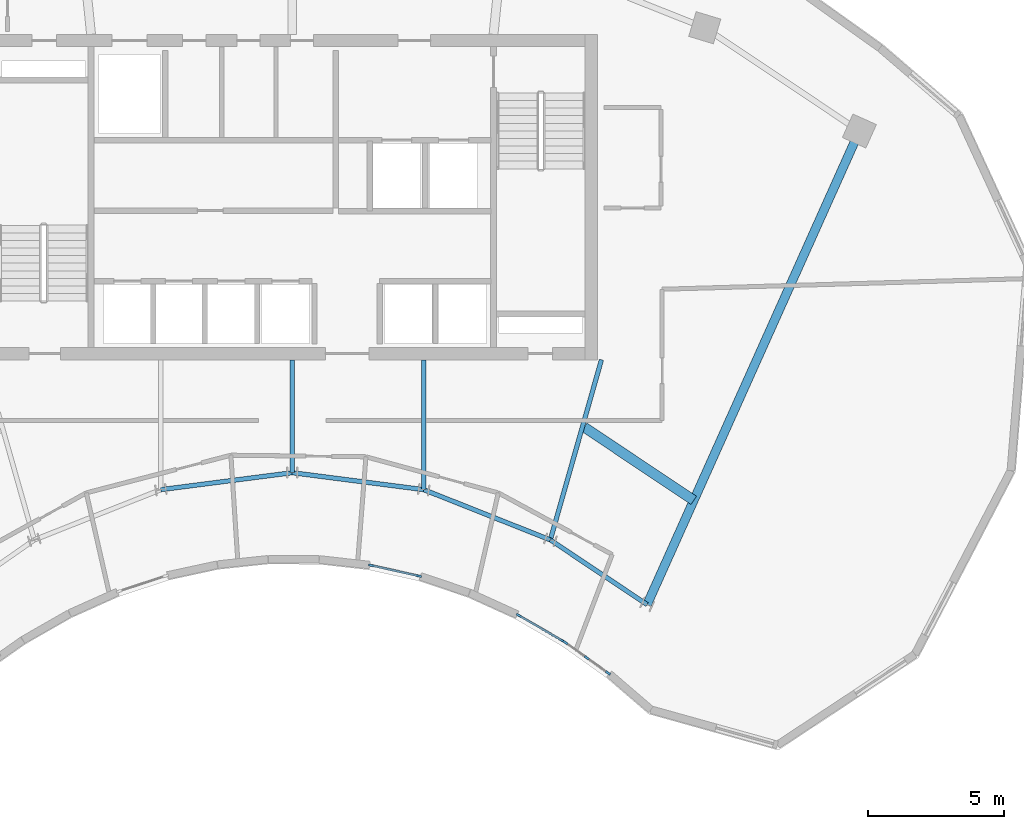
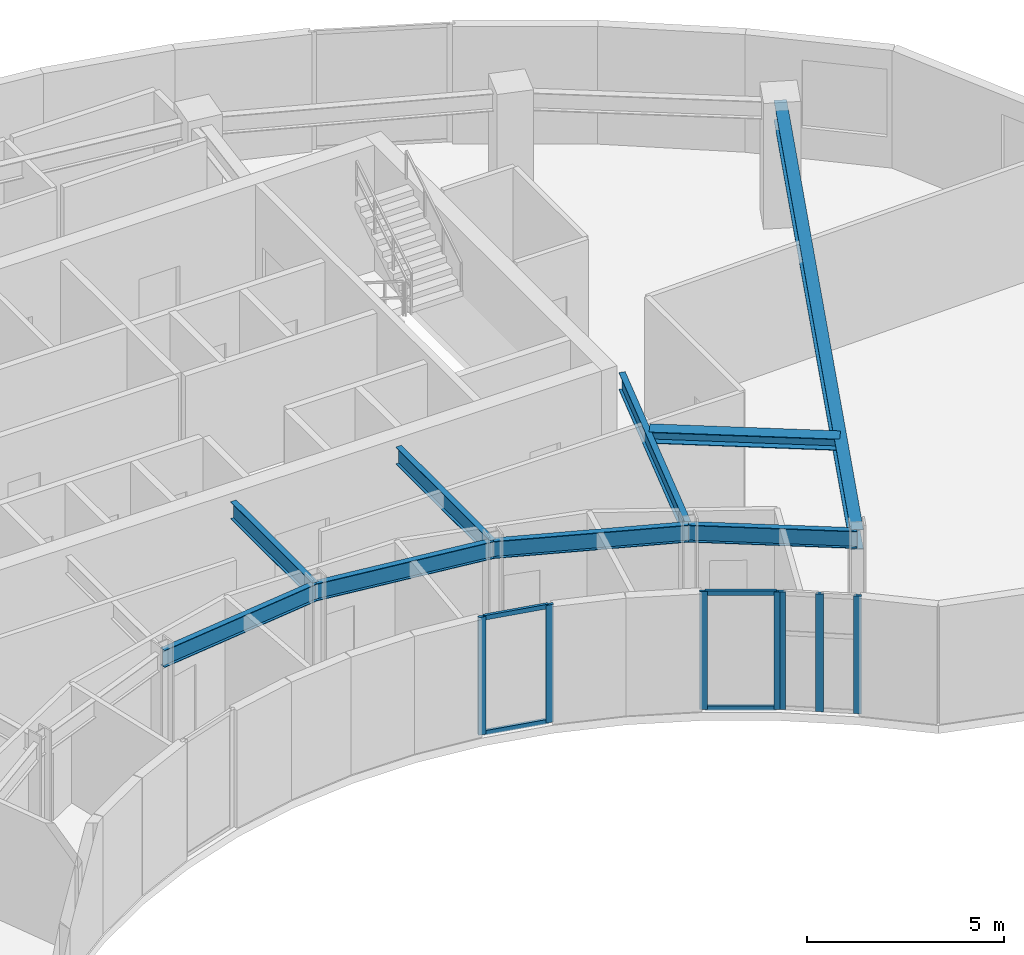
# One storey, part 3 of 12: 11 members, 9 beams, 3 elements without a shape of their own.
"""IFC4 building model written with IfcOpenShell, lengths in metres."""

import ifcopenshell
import ifcopenshell.guid

model = None  # the IFC model being written
_history = None  # IfcOwnerHistory: only IFC2X3 demands one
_inside = {}  # id of a spatial element -> (the spatial element, [elements in it])
_under = {}  # id of a project, library or spatial element -> (it, [spatial elements below it])
_declared = {}  # id of a project -> (the project, [libraries it declares])
_typed = {}  # id of a type object -> (the type object, [elements of that type])
_made_of = {}  # id of a material, layer set ... -> (it, [elements and type objects made of it])


def new_model(schema):
    """Start an empty IFC model of exactly this schema.

    Asked for "IFC4X3", IfcOpenShell would pick the latest addendum, in which some entities
    have other attributes; the version numbers below select the first issue.
    IFC2X3 requires an IfcOwnerHistory on every rooted entity: one is made here for all.
    """
    global model, _history
    if schema == "IFC4X3":
        model = ifcopenshell.file(schema_version=(4, 3, 0, 0))
    else:
        model = ifcopenshell.file(schema=schema)
    _inside.clear()
    _under.clear()
    _declared.clear()
    _typed.clear()
    _made_of.clear()
    _history = None
    if model.schema == "IFC2X3":
        org = make("IfcOrganization", Name="unknown")
        user = make(
            "IfcPersonAndOrganization",
            ThePerson=make("IfcPerson", FamilyName="unknown"),
            TheOrganization=org,
        )
        app = make(
            "IfcApplication",
            ApplicationDeveloper=org,
            Version="unknown",
            ApplicationFullName="unknown",
            ApplicationIdentifier="unknown",
        )
        _history = make(
            "IfcOwnerHistory",
            OwningUser=user,
            OwningApplication=app,
            ChangeAction="ADDED",
            CreationDate=0,
        )
    return model


def make(cls, **values):
    """One entity of the class cls with the attributes given. An attribute that is None is left unset."""
    return model.create_entity(
        cls, **{name: value for name, value in values.items() if value is not None}
    )


def rooted(cls, **values):
    """An entity with a GlobalId (a new one), such as an element, a storey or a relation."""
    return make(cls, GlobalId=ifcopenshell.guid.new(), OwnerHistory=_history, **values)


def si_unit(unit_type, name, prefix=None):
    """IfcSIUnit, for example si_unit("LENGTHUNIT", "METRE", prefix="MILLI")."""
    return make("IfcSIUnit", UnitType=unit_type, Prefix=prefix, Name=name)


def assignment(units):
    """IfcUnitAssignment: the units of a project."""
    return None if units is None else make("IfcUnitAssignment", Units=units)


def point(xyz):
    """IfcCartesianPoint."""
    return None if xyz is None else make("IfcCartesianPoint", Coordinates=xyz)


def direction(xyz):
    """IfcDirection."""
    return None if xyz is None else make("IfcDirection", DirectionRatios=xyz)


def frame(location, z_axis=None, x_axis=None):
    """IfcAxis2Placement3D, a coordinate frame: its origin and axes. An axis left out is left unset."""
    return make(
        "IfcAxis2Placement3D",
        Location=point(location),
        Axis=direction(z_axis),
        RefDirection=direction(x_axis),
    )


def frame_2d(location, x_axis=None):
    """IfcAxis2Placement2D, a coordinate frame in the plane: its origin and x axis."""
    return make(
        "IfcAxis2Placement2D", Location=point(location), RefDirection=direction(x_axis)
    )


def origin():
    """The frame at (0, 0, 0) with its axes left unset."""
    return frame((0.0, 0.0, 0.0))


def origin_2d():
    """The frame at (0, 0) in the plane with its x axis left unset."""
    return frame_2d((0.0, 0.0))


def place(relative_to, where):
    """IfcLocalPlacement: puts the frame where relative to a parent placement (None: the world)."""
    return make(
        "IfcLocalPlacement", PlacementRelTo=relative_to, RelativePlacement=where
    )


def context(
    kind, dimensions, precision=None, world=None, true_north=None, identifier=None
):
    """IfcGeometricRepresentationContext, for example the 3D "Model" context."""
    return make(
        "IfcGeometricRepresentationContext",
        ContextIdentifier=identifier,
        ContextType=kind,
        CoordinateSpaceDimension=dimensions,
        Precision=precision,
        WorldCoordinateSystem=world,
        TrueNorth=true_north,
    )


def subcontext(parent, identifier, kind, view, scale=None):
    """IfcGeometricRepresentationSubContext, for example "Body" below "Model"."""
    return make(
        "IfcGeometricRepresentationSubContext",
        ContextIdentifier=identifier,
        ContextType=kind,
        ParentContext=parent,
        TargetScale=scale,
        TargetView=view,
    )


def project(units=None, contexts=None):
    """IfcProject with its units and contexts."""
    return rooted(
        "IfcProject",
        Name="project",
        RepresentationContexts=contexts,
        UnitsInContext=assignment(units),
    )


def spatial(cls, under=None, at=None, **own):
    """A site, building, storey or space (cls), placed at a placement, below another one or the project."""
    s = rooted(cls, ObjectPlacement=at, **own)
    if under is not None:
        _under.setdefault(under.id(), (under, []))[1].append(s)
    return s


def profile(cls, at=None, kind="AREA", **sizes):
    """A parametric profile (cls). Its sizes go by their IFC names, for example OverallWidth=200.0."""
    return make(cls, ProfileType=kind, Position=at, **sizes)


def rectangle(**sizes):
    """IfcRectangleProfileDef."""
    return profile("IfcRectangleProfileDef", **sizes)


def i_section(**sizes):
    """IfcIShapeProfileDef."""
    return profile("IfcIShapeProfileDef", **sizes)


def extrude(swept, where, along, depth):
    """IfcExtrudedAreaSolid: the profile swept, set in the frame where, extruded along a direction by depth."""
    return make(
        "IfcExtrudedAreaSolid",
        SweptArea=swept,
        Position=where,
        ExtrudedDirection=direction(along),
        Depth=depth,
    )


def shape(context_of_items, identifier, shape_type, items):
    """IfcShapeRepresentation: the items that make up one representation, for example the "Body"."""
    return make(
        "IfcShapeRepresentation",
        ContextOfItems=context_of_items,
        RepresentationIdentifier=identifier,
        RepresentationType=shape_type,
        Items=items,
    )


def source(mapping_origin, context_of_items, identifier, shape_type, items):
    """IfcRepresentationMap: a shape defined once, which mapped items show again and again."""
    return make(
        "IfcRepresentationMap",
        MappingOrigin=mapping_origin,
        MappedRepresentation=shape(context_of_items, identifier, shape_type, items),
    )


def transform(
    local_origin,
    x_axis=None,
    y_axis=None,
    z_axis=None,
    scale=None,
    scale2=None,
    scale3=None,
    uniform=True,
):
    """IfcCartesianTransformationOperator3D, or its non-uniform kind. x_axis, y_axis, z_axis: its Axis1, 2, 3."""
    if uniform:
        return make(
            "IfcCartesianTransformationOperator3D",
            Axis1=direction(x_axis),
            Axis2=direction(y_axis),
            LocalOrigin=point(local_origin),
            Scale=scale,
            Axis3=direction(z_axis),
        )
    return make(
        "IfcCartesianTransformationOperator3DnonUniform",
        Axis1=direction(x_axis),
        Axis2=direction(y_axis),
        LocalOrigin=point(local_origin),
        Scale=scale,
        Axis3=direction(z_axis),
        Scale2=scale2,
        Scale3=scale3,
    )


def mapped(mapping_source, mapping_target):
    """IfcMappedItem: shows the shape of a source again, moved by a transform."""
    return make(
        "IfcMappedItem", MappingSource=mapping_source, MappingTarget=mapping_target
    )


def material(Name=None, Category=None):
    """IfcMaterial."""
    return make("IfcMaterial", Name=Name, Category=Category)


def layer(
    of_material, thickness, ventilated=None, Name=None, Category=None, Priority=None
):
    """IfcMaterialLayer: one layer of a wall or slab, of a material (None: an air gap)."""
    return make(
        "IfcMaterialLayer",
        Material=of_material,
        LayerThickness=thickness,
        IsVentilated=ventilated,
        Name=Name,
        Category=Category,
        Priority=Priority,
    )


def layer_set(layers, Name=None):
    """IfcMaterialLayerSet."""
    return make("IfcMaterialLayerSet", MaterialLayers=layers, LayerSetName=Name)


def material_profile(
    of_material, cross_section, Name=None, Category=None, Priority=None
):
    """IfcMaterialProfile: a cross section and its material."""
    return make(
        "IfcMaterialProfile",
        Name=Name,
        Material=of_material,
        Profile=cross_section,
        Priority=Priority,
        Category=Category,
    )


def profile_set(profiles, Name=None, composite=None):
    """IfcMaterialProfileSet."""
    return make(
        "IfcMaterialProfileSet",
        Name=Name,
        MaterialProfiles=profiles,
        CompositeProfile=composite,
    )


def made_of(thing, what):
    """Note that an element or type object is made of a material, layer set ...; save() writes the relation."""
    if what is not None:
        _made_of.setdefault(what.id(), (what, []))[1].append(thing)
    return thing


def type_object(cls, material=None, **own):
    """A type object (cls), such as IfcWallType, which elements share."""
    return made_of(rooted(cls, **own), material)


def type_shapes(of_type, sources):
    """Give a type object the sources (RepresentationMaps) that its elements show as mapped items."""
    of_type.RepresentationMaps = sources


def element(
    cls,
    number,
    at=None,
    inside=None,
    cuts=None,
    type_object=None,
    material=None,
    context=None,
    identifier="Body",
    shape_type=None,
    held_by="IfcProductDefinitionShape",
    body=None,
    shapes=None,
    **own,
):
    """One element of the class cls, such as IfcWall. Its Tag is "e" and its number.

    at: its placement. inside: the storey or other place that contains it. cuts: it is an
    opening in that element (IfcRelVoidsElement). A single representation is given by context,
    identifier, shape_type and body (its items); several are given by shapes. held_by: the class
    of the entity that holds the representations. save() writes the other relations.
    """
    e = rooted(cls, Tag="e%d" % number, ObjectPlacement=at, **own)
    if body is not None:
        shapes = [shape(context, identifier, shape_type, body)]
    if shapes is not None:
        e.Representation = make(held_by, Representations=shapes)
    if inside is not None:
        _inside.setdefault(inside.id(), (inside, []))[1].append(e)
    if cuts is not None:
        rooted(
            "IfcRelVoidsElement", RelatingBuildingElement=cuts, RelatedOpeningElement=e
        )
    if type_object is not None:
        _typed.setdefault(type_object.id(), (type_object, []))[1].append(e)
    return made_of(e, material)


def aggregate(whole, parts):
    """IfcRelAggregates: a whole, such as a stair, and the parts it consists of."""
    return rooted("IfcRelAggregates", RelatingObject=whole, RelatedObjects=parts)


def save(model, path):
    """Write the relations noted so far, then the file.

    IfcRelAggregates (storeys below a building ...), IfcRelContainedInSpatialStructure (elements
    in a storey), IfcRelDefinesByType, IfcRelAssociatesMaterial and IfcRelDeclares: one each for
    every whole, place, type object, material and project.
    """
    for whole, parts in _under.values():
        aggregate(whole, parts)
    for where, things in _inside.values():
        rooted(
            "IfcRelContainedInSpatialStructure",
            RelatedElements=things,
            RelatingStructure=where,
        )
    for kind, things in _typed.values():
        rooted("IfcRelDefinesByType", RelatedObjects=things, RelatingType=kind)
    for what, things in _made_of.values():
        rooted("IfcRelAssociatesMaterial", RelatedObjects=things, RelatingMaterial=what)
    for by, libraries in _declared.values():
        rooted("IfcRelDeclares", RelatingContext=by, RelatedDefinitions=libraries)
    model.write(path)


model = new_model("IFC4")

# Units and contexts
model_context = context("Model", 3, precision=1e-05, world=origin(), true_north=direction((0.0, 1.0)))
body_context = subcontext(model_context, "Body", "Model", "MODEL_VIEW")
ifc_project = project(units=[si_unit("LENGTHUNIT", "METRE"), si_unit("AREAUNIT", "SQUARE_METRE"), si_unit("VOLUMEUNIT", "CUBIC_METRE"), si_unit("PLANEANGLEUNIT", "RADIAN"), si_unit("MASSUNIT", "GRAM", prefix="KILO")], contexts=[model_context])

# Site, building, storey
site_placement = place(None, origin())
site = spatial("IfcSite", under=ifc_project, at=site_placement, CompositionType="ELEMENT")
building_placement = place(site_placement, origin())
building = spatial("IfcBuilding", under=site, at=building_placement, Name="Breltana Convention Tower", CompositionType="ELEMENT")
storey_placement = place(building_placement, frame((0.0, 0.0, 239.10009765625)))
storey = spatial("IfcBuildingStorey", under=building, at=storey_placement, Name="L58", CompositionType="ELEMENT", Elevation=239.10009765625)

# Beams
ifc_material_1 = material(Name="Steel ASTM A992 Grade 50", Category="steel")
ifc_material_profile_1 = material_profile(ifc_material_1, i_section(OverallWidth=0.166015625, OverallDepth=0.534912109375, WebThickness=0.01025390625, FlangeThickness=0.0166015625, at=origin_2d()), Name="W21X57")
ifc_profile_set_1 = profile_set([ifc_material_profile_1], Name="Steel ASTM A992 Grade 50")
beam_type_1 = type_object("IfcBeamType", Name="BM-BM-W21X57", PredefinedType="BEAM", material=ifc_profile_set_1)
shared_shape_1 = source(origin(), body_context, "Body", "SweptSolid", [
    extrude(i_section(OverallWidth=0.166015625, OverallDepth=0.534912109375, WebThickness=0.01025390625, FlangeThickness=0.0166015625, at=origin_2d()), origin(), (0.0, 0.0, 1.0), 6.904541015625),
])
type_shapes(beam_type_1, [shared_shape_1])
beam_1_placement = place(storey_placement, frame((59.39990234375, 60.199951171875, 3.38232421875), z_axis=(-0.273006781054, -0.962012108811, 0.0), x_axis=(0.962012108811, -0.273006781054, 0.0)))
element("IfcBeam", 1, at=beam_1_placement, inside=storey, type_object=beam_type_1, Name="L58 South Core Tie Girder R08", PredefinedType="BEAM", context=body_context, shape_type="MappedRepresentation", body=[
    mapped(shared_shape_1, transform((0.0, 0.0, 0.0), scale=1.0)),
])
shared_shape_2 = source(origin(), body_context, "Body", "SweptSolid", [
    extrude(i_section(OverallWidth=0.166015625, OverallDepth=0.534912109375, WebThickness=0.01025390625, FlangeThickness=0.0166015625, at=origin_2d()), origin(), (0.0, 0.0, 1.0), 4.789306640625),
])
beam_2_placement = place(storey_placement, frame((52.846435546875, 60.199951171875, 3.38232421875), z_axis=(0.0, -1.0, 0.0), x_axis=(1.0, 0.0, 0.0)))
element("IfcBeam", 2, at=beam_2_placement, inside=storey, type_object=beam_type_1, Name="L58 South Core Tie Girder R07", PredefinedType="BEAM", context=body_context, shape_type="MappedRepresentation", body=[
    mapped(shared_shape_2, transform((0.0, 0.0, 0.0), scale=1.0)),
])
shared_shape_3 = source(origin(), body_context, "Body", "SweptSolid", [
    extrude(i_section(OverallWidth=0.166015625, OverallDepth=0.534912109375, WebThickness=0.01025390625, FlangeThickness=0.0166015625, at=origin_2d()), origin(), (0.0, 0.0, 1.0), 4.1640625),
])
beam_3_placement = place(storey_placement, frame((48.0, 60.199951171875, 3.38232421875), z_axis=(0.0, -1.0, 0.0), x_axis=(1.0, 0.0, 0.0)))
element("IfcBeam", 3, at=beam_3_placement, inside=storey, type_object=beam_type_1, Name="L58 South Core Tie Girder R06", PredefinedType="BEAM", context=body_context, shape_type="MappedRepresentation", body=[
    mapped(shared_shape_3, transform((0.0, 0.0, 0.0), scale=1.0)),
])
shared_shape_4 = source(origin(), body_context, "Body", "SweptSolid", [
    extrude(i_section(OverallWidth=0.166015625, OverallDepth=0.534912109375, WebThickness=0.01025390625, FlangeThickness=0.0166015625, at=origin_2d()), origin(), (0.0, 0.0, 1.0), 5.022705078125),
])
beam_4_placement = place(storey_placement, frame((52.846435546875, 55.41064453125, 3.38232421875), z_axis=(0.929458966248, -0.368925507469, 0.0), x_axis=(0.368925507469, 0.929458966248, 0.0)))
element("IfcBeam", 4, at=beam_4_placement, inside=storey, type_object=beam_type_1, Name="L58 Inner Ring Beam 07", PredefinedType="BEAM", context=body_context, shape_type="MappedRepresentation", body=[
    mapped(shared_shape_4, transform((0.0, 0.0, 0.0), scale=1.0)),
])
shared_shape_5 = source(origin(), body_context, "Body", "SweptSolid", [
    extrude(i_section(OverallWidth=0.166015625, OverallDepth=0.534912109375, WebThickness=0.01025390625, FlangeThickness=0.0166015625, at=origin_2d()), origin(), (0.0, 0.0, 1.0), 4.88671875),
])
for number, where, z_axis, x_axis, name in (
    (5, (43.153564453125, 55.41064453125, 3.38232421875), (0.991780525565, 0.127950729231, 0.0), (-0.127950729231, 0.991780525565, 0.0), "L58 Inner Ring Beam 05"),
    (6, (48.0, 56.035888671875, 3.38232421875), (0.991780525565, -0.127950729231, 0.0), (0.127950729231, 0.991780525565, 0.0), "L58 Inner Ring Beam 06"),
):
    element("IfcBeam", number, at=place(storey_placement, frame(where, z_axis=z_axis, x_axis=x_axis)), inside=storey, type_object=beam_type_1, Name=name, PredefinedType="BEAM", context=body_context, shape_type="MappedRepresentation", body=[
        mapped(shared_shape_5, transform((0.0, 0.0, 0.0), scale=1.0)),
    ])
shared_shape_6 = source(origin(), body_context, "Body", "SweptSolid", [
    extrude(i_section(OverallWidth=0.166015625, OverallDepth=0.534912109375, WebThickness=0.01025390625, FlangeThickness=0.0166015625, at=origin_2d()), origin(), (0.0, 0.0, 1.0), 4.2900390625),
])
beam_5_placement = place(storey_placement, frame((57.514892578125, 53.5576171875, 3.38232421875), z_axis=(0.831515827753, -0.555501060482, 0.0), x_axis=(0.555501060482, 0.831515827753, 0.0)))
element("IfcBeam", 7, at=beam_5_placement, inside=storey, type_object=beam_type_1, Name="L58 Inner Ring Beam 08", PredefinedType="BEAM", context=body_context, shape_type="MappedRepresentation", body=[
    mapped(shared_shape_6, transform((0.0, 0.0, 0.0), scale=1.0)),
])
ifc_material_profile_2 = material_profile(ifc_material_1, i_section(OverallWidth=0.368896484375, OverallDepth=0.35595703125, WebThickness=0.01123046875, FlangeThickness=0.01806640625, at=origin_2d()), Name="W14X90")
ifc_profile_set_2 = profile_set([ifc_material_profile_2], Name="Steel ASTM A992 Grade 50")
beam_type_2 = type_object("IfcBeamType", Name="BM-JSG-09", PredefinedType="JOIST", material=ifc_profile_set_2)
shared_shape_7 = source(origin(), body_context, "Body", "SweptSolid", [
    extrude(i_section(OverallWidth=0.368896484375, OverallDepth=0.35595703125, WebThickness=0.01123046875, FlangeThickness=0.01806640625, at=origin_2d()), origin(), (0.0, 0.0, 1.0), 4.854736328125),
])
beam_6_placement = place(storey_placement, frame((58.767578125, 57.71240234375, 3.471923828125), z_axis=(0.831485074305, -0.555547091801, 0.0), x_axis=(0.555547091801, 0.831485074305, 0.0)))
element("IfcBeam", 8, at=beam_6_placement, inside=storey, type_object=beam_type_2, Name="L58 Composite Floor Joist 08.1", PredefinedType="JOIST", context=body_context, shape_type="MappedRepresentation", body=[
    mapped(shared_shape_7, transform((0.0, 0.0, 0.0), scale=1.0)),
])
ifc_material_profile_3 = material_profile(ifc_material_1, i_section(OverallWidth=0.326904296875, OverallDepth=0.6220703125, WebThickness=0.015380859375, FlangeThickness=0.0244140625, at=origin_2d()), Name="W24X131")
ifc_profile_set_3 = profile_set([ifc_material_profile_3], Name="Steel ASTM A992 Grade 50")
beam_type_3 = type_object("IfcBeamType", Name="BM-RG-W24X131", PredefinedType="USERDEFINED", material=ifc_profile_set_3)
shared_shape_8 = source(origin(), body_context, "Body", "SweptSolid", [
    extrude(i_section(OverallWidth=0.326904296875, OverallDepth=0.6220703125, WebThickness=0.015380859375, FlangeThickness=0.0244140625, at=origin_2d()), origin(), (0.0, 0.0, 1.0), 19.133544921875),
])
beam_7_placement = place(storey_placement, frame((61.08203125, 51.174560546875, 3.3388671875), z_axis=(0.409144564164, 0.912469575172, 0.0), x_axis=(-0.912469575172, 0.409144564164, 0.0)))
element("IfcBeam", 9, at=beam_7_placement, inside=storey, type_object=beam_type_3, Name="L58 Radial Floor Girder R09", ObjectType="GIRDER", PredefinedType="USERDEFINED", context=body_context, shape_type="MappedRepresentation", body=[
    mapped(shared_shape_8, transform((0.0, 0.0, 0.0), scale=1.0)),
])

# Curtain wall, members
ifc_material_2 = material(Name="Aluminium Anodised Bronze Frame", Category="aluminium")
ifc_layer = layer(ifc_material_2, 0.18994140625, Name="Aluminium Anodised Bronze Frame")
ifc_layer_set = layer_set([ifc_layer], Name="Aluminium Anodised Bronze Frame")
curtain_wall_type = type_object("IfcCurtainWallType", Name="CW-SYS-1", PredefinedType="NOTDEFINED", material=ifc_layer_set)
curtain_wall_1_placement = place(storey_placement, origin())
curtain_wall_1 = element("IfcCurtainWall", 10, at=curtain_wall_1_placement, inside=storey, type_object=curtain_wall_type, Name="L58 inner south-court glazing 1", PredefinedType="NOTDEFINED")
ifc_material_3 = material(Name="Aluminium Anodised Bronze", Category="aluminium")
ifc_material_profile_4 = material_profile(ifc_material_3, rectangle(XDim=0.080078125, YDim=0.199951171875, at=origin_2d()), Name="CWM-80X200")
ifc_profile_set_4 = profile_set([ifc_material_profile_4], Name="Aluminium Anodised Bronze")
member_type_1 = type_object("IfcMemberType", Name="CWM-200", PredefinedType="MULLION", material=ifc_profile_set_4)
shared_shape_9 = source(origin(), body_context, "Body", "SweptSolid", [
    extrude(rectangle(XDim=0.080078125, YDim=0.199951171875, at=origin_2d()), origin(), (0.0, 0.0, 1.0), 3.64990234375),
])
member_1_placement = place(storey_placement, frame((59.642822265625, 48.650390625, 0.0), z_axis=(0.0, 0.0, 1.0), x_axis=(-0.580679280365, -0.814132405297, 0.0)))
member_1 = element("IfcMember", 11, at=member_1_placement, type_object=member_type_1, Name="CW-01 mullion 1", PredefinedType="MULLION", context=body_context, shape_type="MappedRepresentation", body=[
    mapped(shared_shape_9, transform((0.0, 0.0, 0.0), scale=1.0)),
])
member_2_placement = place(storey_placement, frame((58.85546875, 49.2119140625, 0.0), z_axis=(0.0, 0.0, 1.0), x_axis=(-0.580679280365, -0.814132405297, 0.0)))
member_2 = element("IfcMember", 12, at=member_2_placement, type_object=member_type_1, Name="CW-01 mullion 2", PredefinedType="MULLION", context=body_context, shape_type="MappedRepresentation", body=[
    mapped(shared_shape_9, transform((0.0, 0.0, 0.0), scale=1.0)),
])
member_3_placement = place(storey_placement, frame((58.06787109375, 49.773681640625, 0.0), z_axis=(0.0, 0.0, 1.0), x_axis=(-0.580679280365, -0.814132405297, 0.0)))
member_3 = element("IfcMember", 13, at=member_3_placement, type_object=member_type_1, Name="CW-01 mullion 3", PredefinedType="MULLION", context=body_context, shape_type="MappedRepresentation", body=[
    mapped(shared_shape_9, transform((0.0, 0.0, 0.0), scale=1.0)),
])
aggregate(curtain_wall_1, [member_1, member_2, member_3])

curtain_wall_2_placement = place(storey_placement, origin())
curtain_wall_2 = element("IfcCurtainWall", 14, at=curtain_wall_2_placement, inside=storey, type_object=curtain_wall_type, Name="L58 inner south-court glazing 2", PredefinedType="NOTDEFINED")
member_4_placement = place(storey_placement, frame((57.986328125, 49.826171875, 0.0), z_axis=(0.0, 0.0, 1.0), x_axis=(-0.501190266215, -0.865337111796, 0.0)))
member_4 = element("IfcMember", 15, at=member_4_placement, type_object=member_type_1, Name="CW-01 mullion 1", PredefinedType="MULLION", context=body_context, shape_type="MappedRepresentation", body=[
    mapped(shared_shape_9, transform((0.0, 0.0, 0.0), scale=1.0)),
])
member_5_placement = place(storey_placement, frame((56.35009765625, 50.77392578125, 0.0), z_axis=(0.0, 0.0, 1.0), x_axis=(-0.501190266215, -0.865337111796, 0.0)))
member_5 = element("IfcMember", 16, at=member_5_placement, type_object=member_type_1, Name="CW-01 mullion 2", PredefinedType="MULLION", context=body_context, shape_type="MappedRepresentation", body=[
    mapped(shared_shape_9, transform((0.0, 0.0, 0.0), scale=1.0)),
])

curtain_wall_3_placement = place(storey_placement, origin())
curtain_wall_3 = element("IfcCurtainWall", 17, at=curtain_wall_3_placement, inside=storey, type_object=curtain_wall_type, Name="L58 inner south-court glazing 3", PredefinedType="NOTDEFINED")
member_6_placement = place(storey_placement, frame((52.66357421875, 52.227294921875, 0.0), z_axis=(0.0, 0.0, 1.0), x_axis=(-0.217127816671, -0.976143181725, 0.0)))
member_6 = element("IfcMember", 18, at=member_6_placement, type_object=member_type_1, Name="CW-01 mullion 1", PredefinedType="MULLION", context=body_context, shape_type="MappedRepresentation", body=[
    mapped(shared_shape_9, transform((0.0, 0.0, 0.0), scale=1.0)),
])
member_7_placement = place(storey_placement, frame((50.90869140625, 52.61767578125, 0.0), z_axis=(0.0, 0.0, 1.0), x_axis=(-0.217127816671, -0.976143181725, 0.0)))
member_7 = element("IfcMember", 19, at=member_7_placement, type_object=member_type_1, Name="CW-01 mullion 2", PredefinedType="MULLION", context=body_context, shape_type="MappedRepresentation", body=[
    mapped(shared_shape_9, transform((0.0, 0.0, 0.0), scale=1.0)),
])

# Member
ifc_material_profile_5 = material_profile(ifc_material_3, rectangle(XDim=0.080078125, YDim=0.139892578125, at=origin_2d()), Name="CWT-80X140")
ifc_profile_set_5 = profile_set([ifc_material_profile_5], Name="Aluminium Anodised Bronze")
member_type_2 = type_object("IfcMemberType", Name="CWT-140", PredefinedType="USERDEFINED", material=ifc_profile_set_5)
shared_shape_10 = source(origin(), body_context, "Body", "SweptSolid", [
    extrude(rectangle(XDim=0.080078125, YDim=0.139892578125, at=origin_2d()), origin(), (0.0, 0.0, 1.0), 1.810791015625),
])
member_8_placement = place(storey_placement, frame((57.95166015625, 49.84619140625, 0.039794921875), z_axis=(-0.865290871949, 0.501270093784, 0.0), x_axis=(-0.501270093784, -0.865290871949, 0.0)))
member_8 = element("IfcMember", 20, at=member_8_placement, type_object=member_type_2, Name="CW-01 transom 1.1", ObjectType="TRANSOM", PredefinedType="USERDEFINED", context=body_context, shape_type="MappedRepresentation", body=[
    mapped(shared_shape_10, transform((0.0, 0.0, 0.0), scale=1.0)),
])

member_9_placement = place(storey_placement, frame((57.95166015625, 49.84619140625, 3.60986328125), z_axis=(-0.865290871949, 0.501270093784, 0.0), x_axis=(-0.501270093784, -0.865290871949, 0.0)))
member_9 = element("IfcMember", 21, at=member_9_placement, type_object=member_type_2, Name="CW-01 transom 1.2", ObjectType="TRANSOM", PredefinedType="USERDEFINED", context=body_context, shape_type="MappedRepresentation", body=[
    mapped(shared_shape_10, transform((0.0, 0.0, 0.0), scale=1.0)),
])

aggregate(curtain_wall_2, [member_4, member_5, member_8, member_9])

shared_shape_11 = source(origin(), body_context, "Body", "SweptSolid", [
    extrude(rectangle(XDim=0.080078125, YDim=0.139892578125, at=origin_2d()), origin(), (0.0, 0.0, 1.0), 1.7177734375),
])
member_10_placement = place(storey_placement, frame((52.62451171875, 52.236083984375, 0.039794921875), z_axis=(-0.976133523564, 0.217171232383, 0.0), x_axis=(-0.217171232383, -0.976133523564, 0.0)))
member_10 = element("IfcMember", 22, at=member_10_placement, type_object=member_type_2, Name="CW-01 transom 1.1", ObjectType="TRANSOM", PredefinedType="USERDEFINED", context=body_context, shape_type="MappedRepresentation", body=[
    mapped(shared_shape_11, transform((0.0, 0.0, 0.0), scale=1.0)),
])

member_11_placement = place(storey_placement, frame((52.62451171875, 52.236083984375, 3.60986328125), z_axis=(-0.976133523564, 0.217171232383, 0.0), x_axis=(-0.217171232383, -0.976133523564, 0.0)))
member_11 = element("IfcMember", 23, at=member_11_placement, type_object=member_type_2, Name="CW-01 transom 1.2", ObjectType="TRANSOM", PredefinedType="USERDEFINED", context=body_context, shape_type="MappedRepresentation", body=[
    mapped(shared_shape_11, transform((0.0, 0.0, 0.0), scale=1.0)),
])

aggregate(curtain_wall_3, [member_6, member_7, member_10, member_11])

save(model, "model.ifc")
